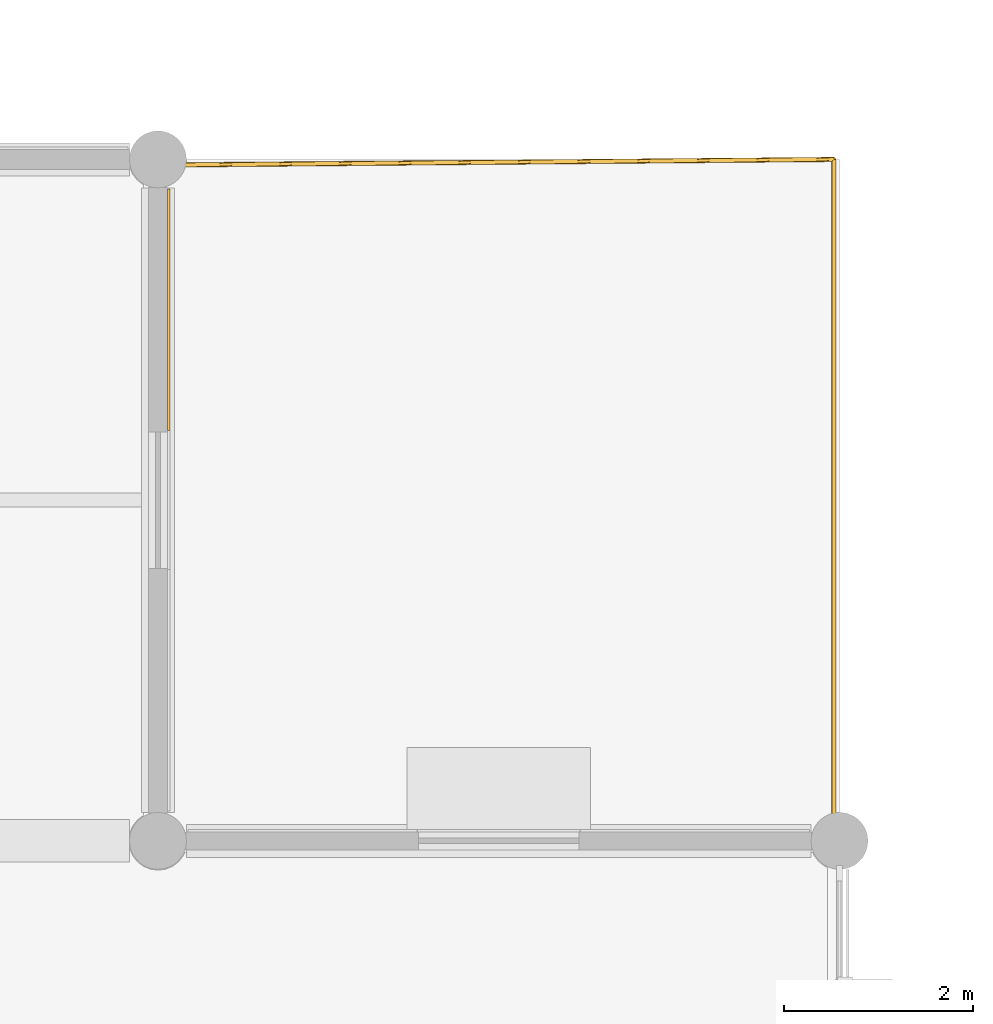
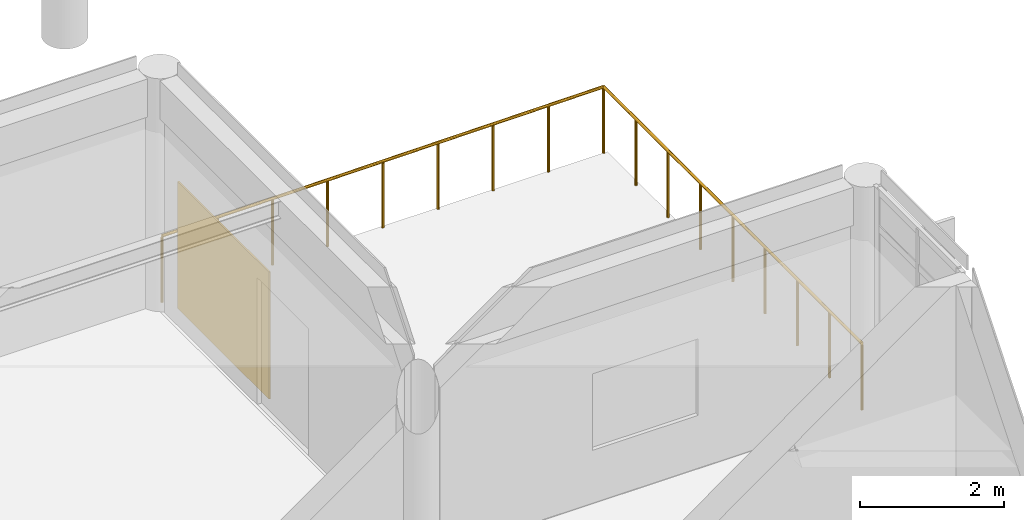
# One storey, part 37 of 37: 1 covering, 1 railing.
"""IFC4 building model written with IfcOpenShell, lengths in metres."""

from ifc_helpers import new_model, si_unit, direction, frame, origin, origin_2d, place, context, subcontext, project, spatial, rectangle, circle, extrude, material, layer, layer_set, type_object, element, save


model = new_model("IFC4")

# Units and contexts
model_context = context("Model", 3, precision=1e-05, world=origin(), true_north=direction((0.0, 1.0)))
body_context = subcontext(model_context, "Body", "Model", "MODEL_VIEW")
ifc_project = project(units=[si_unit("LENGTHUNIT", "METRE"), si_unit("AREAUNIT", "SQUARE_METRE"), si_unit("VOLUMEUNIT", "CUBIC_METRE"), si_unit("PLANEANGLEUNIT", "RADIAN"), si_unit("MASSUNIT", "GRAM", prefix="KILO")], contexts=[model_context])

# Site, building, storey
site_placement = place(None, origin())
site = spatial("IfcSite", under=ifc_project, at=site_placement, CompositionType="ELEMENT")
building_placement = place(site_placement, origin())
building = spatial("IfcBuilding", under=site, at=building_placement, Name="Namkhue Oval Health Centre", CompositionType="ELEMENT")
storey_placement = place(building_placement, frame((0.0, 0.0, 22.199951171875)))
storey = spatial("IfcBuildingStorey", under=building, at=storey_placement, Name="L05", CompositionType="ELEMENT", Elevation=22.199951171875)

# Railing
ifc_material_1 = material(Name="Brushed stainless steel 316L balustrade with laminated glass infill", Category="steel")
railing_type = type_object("IfcRailingType", Name="EXTERIOR BALUSTRADE GUARD 1150", PredefinedType="BALUSTRADE", material=ifc_material_1)
railing_placement = place(storey_placement, frame((122.340087890625, 97.199951171875, 0.0)))
element("IfcRailing", 1, at=railing_placement, inside=storey, type_object=railing_type, Name="Volume V3 L05 Terrace Balustrade Guard 1", PredefinedType="BALUSTRADE", context=body_context, shape_type="SweptSolid", body=[
    extrude(circle(Radius=0.02392578125, at=origin_2d()), frame((0.0, 0.0, 1.1259765625), z_axis=(0.0, 1.0, 0.0), x_axis=(-1.0, 0.0, 0.0)), (0.0, 0.0, 1.0), 7.199951171875),
    extrude(circle(Radius=0.02392578125, at=origin_2d()), frame((0.0, 7.199951171875, 1.1259765625), z_axis=(-0.99996491299, -0.008376920047, 0.0), x_axis=(0.008376920047, -0.99996491299, 0.0)), (0.0, 0.0, 1.0), 7.140380859375),
    extrude(circle(Radius=0.02099609375, at=origin_2d()), origin(), (0.0, 0.0, 1.0), 1.101806640625),
    extrude(circle(Radius=0.02099609375, at=origin_2d()), frame((0.0, 0.89990234375, 0.0)), (0.0, 0.0, 1.0), 1.101806640625),
    extrude(circle(Radius=0.02099609375, at=origin_2d()), frame((0.0, 1.800048828125, 0.0)), (0.0, 0.0, 1.0), 1.101806640625),
    extrude(circle(Radius=0.02099609375, at=origin_2d()), frame((0.0, 2.699951171875, 0.0)), (0.0, 0.0, 1.0), 1.101806640625),
    extrude(circle(Radius=0.02099609375, at=origin_2d()), frame((0.0, 3.60009765625, 0.0)), (0.0, 0.0, 1.0), 1.101806640625),
    extrude(circle(Radius=0.02099609375, at=origin_2d()), frame((0.0, 4.5, 0.0)), (0.0, 0.0, 1.0), 1.101806640625),
    extrude(circle(Radius=0.02099609375, at=origin_2d()), frame((0.0, 5.39990234375, 0.0)), (0.0, 0.0, 1.0), 1.101806640625),
    extrude(circle(Radius=0.02099609375, at=origin_2d()), frame((0.0, 6.300048828125, 0.0)), (0.0, 0.0, 1.0), 1.101806640625),
    extrude(circle(Radius=0.02099609375, at=origin_2d()), frame((0.0, 7.199951171875, 0.0)), (0.0, 0.0, 1.0), 1.101806640625),
    extrude(circle(Radius=0.02099609375, at=origin_2d()), frame((-0.892578125, 7.1923828125, 0.0)), (0.0, 0.0, 1.0), 1.101806640625),
    extrude(circle(Radius=0.02099609375, at=origin_2d()), frame((-1.78515625, 7.18505859375, 0.0)), (0.0, 0.0, 1.0), 1.101806640625),
    extrude(circle(Radius=0.02099609375, at=origin_2d()), frame((-2.677490234375, 7.177490234375, 0.0)), (0.0, 0.0, 1.0), 1.101806640625),
    extrude(circle(Radius=0.02099609375, at=origin_2d()), frame((-3.570068359375, 7.169921875, 0.0)), (0.0, 0.0, 1.0), 1.101806640625),
    extrude(circle(Radius=0.02099609375, at=origin_2d()), frame((-4.462646484375, 7.16259765625, 0.0)), (0.0, 0.0, 1.0), 1.101806640625),
    extrude(circle(Radius=0.02099609375, at=origin_2d()), frame((-5.35498046875, 7.155029296875, 0.0)), (0.0, 0.0, 1.0), 1.101806640625),
    extrude(circle(Radius=0.02099609375, at=origin_2d()), frame((-6.24755859375, 7.147705078125, 0.0)), (0.0, 0.0, 1.0), 1.101806640625),
    extrude(circle(Radius=0.02099609375, at=origin_2d()), frame((-7.14013671875, 7.14013671875, 0.0)), (0.0, 0.0, 1.0), 1.101806640625),
])

# Covering
ifc_material_2 = material(Name="White glass-fibre reinforced concrete GRC rainscreen cladding", Category="concrete")
ifc_layer = layer(ifc_material_2, 0.02490234375)
ifc_layer_set = layer_set([ifc_layer], Name="White glass-fibre reinforced concrete GRC rainscreen cladding")
covering_type = type_object("IfcCoveringType", Name="WHITE GRC RAINSCREEN CLADDING 25", PredefinedType="CLADDING", material=ifc_layer_set)
covering_placement = place(storey_placement, frame((115.31201171875, 102.81005859375, 0.01025390625), z_axis=(0.0, 0.0, 1.0), x_axis=(0.0, 1.0, 0.0)))
element("IfcCovering", 2, at=covering_placement, inside=storey, type_object=covering_type, Name="Volume V3 L05 Facade 83 White GRC Cladding 3", PredefinedType="CLADDING", context=body_context, shape_type="SweptSolid", body=[
    extrude(rectangle(XDim=2.550048828125, YDim=0.02490234375, at=origin_2d()), origin(), (0.0, 0.0, 1.0), 2.159912109375),
])

save(model, "model.ifc")
